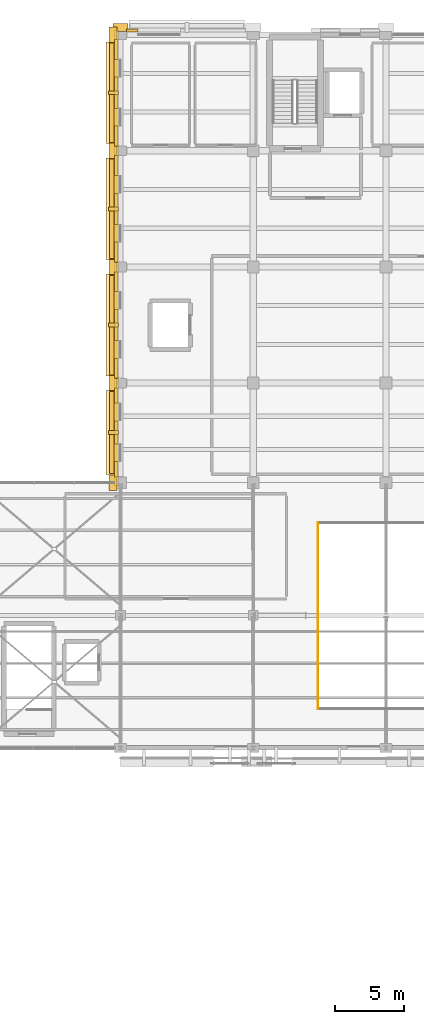
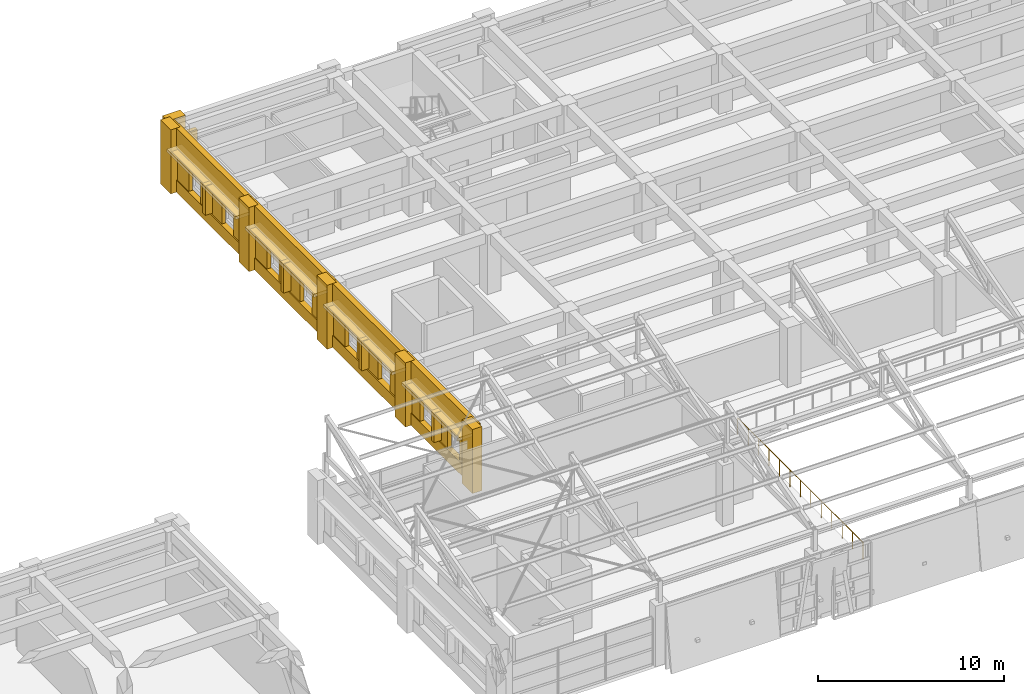
# One storey, part 55 of 58: 35 coverings, 4 shading devices, 1 railing.
"""IFC4 building model written with IfcOpenShell, lengths in metres."""

from ifc_helpers import new_model, si_unit, direction, frame, origin, origin_2d, place, context, subcontext, project, spatial, rectangle, circle, extrude, material, layer, layer_set, type_object, element, save


model = new_model("IFC4")

# Units and contexts
model_context = context("Model", 3, precision=1e-05, world=origin(), true_north=direction((0.0, 1.0)))
body_context = subcontext(model_context, "Body", "Model", "MODEL_VIEW")
ifc_project = project(units=[si_unit("LENGTHUNIT", "METRE"), si_unit("AREAUNIT", "SQUARE_METRE"), si_unit("VOLUMEUNIT", "CUBIC_METRE"), si_unit("PLANEANGLEUNIT", "RADIAN"), si_unit("MASSUNIT", "GRAM", prefix="KILO")], contexts=[model_context])

# Site, building, storey
site_placement = place(None, origin())
site = spatial("IfcSite", under=ifc_project, at=site_placement, CompositionType="ELEMENT")
building_placement = place(site_placement, origin())
building = spatial("IfcBuilding", under=site, at=building_placement, Name="Bempovik Park Faculty of Sciences", CompositionType="ELEMENT")
storey_placement = place(building_placement, frame((0.0, 0.0, 18.300048828125)))
storey = spatial("IfcBuildingStorey", under=building, at=storey_placement, Name="L04", CompositionType="ELEMENT", Elevation=18.300048828125)

# Coverings
ifc_material_1 = material(Name="Precast concrete C40/50", Category="concrete")
ifc_layer_1 = layer(ifc_material_1, 0.179931640625)
ifc_layer_set_1 = layer_set([ifc_layer_1], Name="Precast concrete C40/50")
covering_type_1 = type_object("IfcCoveringType", Name="CL-02 Classical Cornice Band 180mm", PredefinedType="CLADDING", material=ifc_layer_set_1)
covering_1_placement = place(storey_placement, frame((59.39990234375, 90.637451171875, 2.81005859375), z_axis=(0.0, 0.0, 1.0), x_axis=(1.0, 0.0, 0.0)))
element("IfcCovering", 1, at=covering_1_placement, inside=storey, type_object=covering_type_1, Name="L04 Classical Stone Solar Window Hood EW-L04-9701", PredefinedType="CLADDING", context=body_context, shape_type="SweptSolid", body=[
    extrude(rectangle(XDim=0.919921875, YDim=6.071044921875, at=origin_2d()), origin(), (0.0, 0.0, 1.0), 0.219970703125),
])
for number, where, z_axis, x_axis, name in (
    (2, (59.39990234375, 98.39990234375, 2.81005859375), (0.0, 0.0, 1.0), (1.0, 0.0, 0.0), "L04 Classical Stone Solar Window Hood EW-L04-9714"),
    (3, (59.39990234375, 106.800048828125, 2.81005859375), (0.0, 0.0, 1.0), (1.0, 0.0, 0.0), "L04 Classical Stone Solar Window Hood EW-L04-9726"),
    (4, (59.39990234375, 115.199951171875, 2.81005859375), (0.0, 0.0, 1.0), (1.0, 0.0, 0.0), "L04 Classical Stone Solar Window Hood EW-L04-9738"),
):
    element("IfcCovering", number, at=place(storey_placement, frame(where, z_axis=z_axis, x_axis=x_axis)), inside=storey, type_object=covering_type_1, Name=name, PredefinedType="CLADDING", context=body_context, shape_type="SweptSolid", body=[
        extrude(rectangle(XDim=0.919921875, YDim=7.345947265625, at=origin_2d()), origin(), (0.0, 0.0, 1.0), 0.219970703125),
    ])
ifc_material_2 = material(Name="White reconstituted limestone precast C40/50", Category="masonry")
ifc_layer_2 = layer(ifc_material_2, 0.239990234375)
ifc_layer_set_2 = layer_set([ifc_layer_2], Name="White reconstituted limestone precast C40/50")
covering_type_2 = type_object("IfcCoveringType", Name="CL-03 Classical Fluted Limestone Pilaster 240mm", PredefinedType="CLADDING", material=ifc_layer_set_2)
covering_2_placement = place(storey_placement, frame((59.68994140625, 90.637451171875, 2.919921875), z_axis=(0.0, 0.0, 1.0), x_axis=(1.0, 0.0, 0.0)))
element("IfcCovering", 5, at=covering_2_placement, inside=storey, type_object=covering_type_2, Name="L04 Classical Limestone Spandrel Entablature EW-L04-9701", PredefinedType="CLADDING", context=body_context, shape_type="SweptSolid", body=[
    extrude(rectangle(XDim=0.340087890625, YDim=7.77099609375, at=origin_2d()), origin(), (0.0, 0.0, 1.0), 1.280029296875),
])
covering_3_placement = place(storey_placement, frame((59.68994140625, 90.637451171875, 0.0), z_axis=(0.0, 0.0, 1.0), x_axis=(1.0, 0.0, 0.0)))
element("IfcCovering", 6, at=covering_3_placement, inside=storey, type_object=covering_type_2, Name="L04 Classical Limestone Sill Dado EW-L04-9701", PredefinedType="CLADDING", context=body_context, shape_type="SweptSolid", body=[
    extrude(rectangle(XDim=0.340087890625, YDim=7.77099609375, at=origin_2d()), origin(), (0.0, 0.0, 1.0), 0.780029296875),
])
for number, where, z_axis, x_axis, name in (
    (7, (59.469970703125, 87.0, 0.0), (0.0, 0.0, 1.0), (1.0, 0.0, 0.0), "L04 Classical Fluted Stone Pilaster PIL-BA-L04-595-870"),
    (8, (59.469970703125, 94.199951171875, 0.0), (0.0, 0.0, 1.0), (1.0, 0.0, 0.0), "L04 Classical Fluted Stone Pilaster PIL-BA-L04-595-942"),
):
    element("IfcCovering", number, at=place(storey_placement, frame(where, z_axis=z_axis, x_axis=x_axis)), inside=storey, type_object=covering_type_2, Name=name, PredefinedType="CLADDING", context=body_context, shape_type="SweptSolid", body=[
        extrude(rectangle(XDim=0.580078125, YDim=1.10009765625, at=origin_2d()), origin(), (0.0, 0.0, 1.0), 4.199951171875),
    ])
covering_4_placement = place(storey_placement, frame((59.699951171875, 87.973876953125, 0.0), z_axis=(0.0, 0.0, 1.0), x_axis=(1.0, 0.0, 0.0)))
element("IfcCovering", 9, at=covering_4_placement, inside=storey, type_object=covering_type_2, Name="L04 White Limestone Wall Cheek EW-L04-9701-0", PredefinedType="CLADDING", context=body_context, shape_type="SweptSolid", body=[
    extrude(rectangle(XDim=0.239990234375, YDim=1.09375, at=origin_2d()), origin(), (0.0, 0.0, 1.0), 3.080078125),
])
covering_5_placement = place(storey_placement, frame((59.699951171875, 90.637451171875, 0.0), z_axis=(0.0, 0.0, 1.0), x_axis=(1.0, 0.0, 0.0)))
element("IfcCovering", 10, at=covering_5_placement, inside=storey, type_object=covering_type_2, Name="L04 White Limestone Wall Cheek EW-L04-9701-2", PredefinedType="CLADDING", context=body_context, shape_type="SweptSolid", body=[
    extrude(rectangle(XDim=0.239990234375, YDim=1.673583984375, at=origin_2d()), origin(), (0.0, 0.0, 1.0), 3.080078125),
])
covering_6_placement = place(storey_placement, frame((59.699951171875, 93.30126953125, 0.0), z_axis=(0.0, 0.0, 1.0), x_axis=(1.0, 0.0, 0.0)))
element("IfcCovering", 11, at=covering_6_placement, inside=storey, type_object=covering_type_2, Name="L04 White Limestone Wall Cheek EW-L04-9701-4", PredefinedType="CLADDING", context=body_context, shape_type="SweptSolid", body=[
    extrude(rectangle(XDim=0.239990234375, YDim=1.09375, at=origin_2d()), origin(), (0.0, 0.0, 1.0), 3.080078125),
])
covering_7_placement = place(storey_placement, frame((59.489990234375, 90.637451171875, 0.89990234375), z_axis=(0.0, 0.0, 1.0), x_axis=(1.0, 0.0, 0.0)))
element("IfcCovering", 12, at=covering_7_placement, inside=storey, type_object=covering_type_2, Name="L04 Classical Vertical Stone Shading Fin EW-L04-9701", PredefinedType="CLADDING", context=body_context, shape_type="SweptSolid", body=[
    extrude(rectangle(XDim=0.719970703125, YDim=0.280029296875, at=origin_2d()), origin(), (0.0, 0.0, 1.0), 1.949951171875),
])
covering_8_placement = place(storey_placement, frame((59.68994140625, 98.39990234375, 2.919921875), z_axis=(0.0, 0.0, 1.0), x_axis=(1.0, 0.0, 0.0)))
element("IfcCovering", 13, at=covering_8_placement, inside=storey, type_object=covering_type_2, Name="L04 Classical Limestone Spandrel Entablature EW-L04-9714", PredefinedType="CLADDING", context=body_context, shape_type="SweptSolid", body=[
    extrude(rectangle(XDim=0.340087890625, YDim=9.0458984375, at=origin_2d()), origin(), (0.0, 0.0, 1.0), 1.280029296875),
])
covering_9_placement = place(storey_placement, frame((59.68994140625, 98.39990234375, 0.0), z_axis=(0.0, 0.0, 1.0), x_axis=(1.0, 0.0, 0.0)))
element("IfcCovering", 14, at=covering_9_placement, inside=storey, type_object=covering_type_2, Name="L04 Classical Limestone Sill Dado EW-L04-9714", PredefinedType="CLADDING", context=body_context, shape_type="SweptSolid", body=[
    extrude(rectangle(XDim=0.340087890625, YDim=9.0458984375, at=origin_2d()), origin(), (0.0, 0.0, 1.0), 0.780029296875),
])
covering_10_placement = place(storey_placement, frame((59.469970703125, 102.60009765625, 0.0), z_axis=(0.0, 0.0, 1.0), x_axis=(1.0, 0.0, 0.0)))
element("IfcCovering", 15, at=covering_10_placement, inside=storey, type_object=covering_type_2, Name="L04 Classical Fluted Stone Pilaster PIL-BA-L04-595-1026", PredefinedType="CLADDING", context=body_context, shape_type="SweptSolid", body=[
    extrude(rectangle(XDim=0.580078125, YDim=1.10009765625, at=origin_2d()), origin(), (0.0, 0.0, 1.0), 4.199951171875),
])
covering_11_placement = place(storey_placement, frame((59.699951171875, 95.27099609375, 0.0), z_axis=(0.0, 0.0, 1.0), x_axis=(1.0, 0.0, 0.0)))
element("IfcCovering", 16, at=covering_11_placement, inside=storey, type_object=covering_type_2, Name="L04 White Limestone Wall Cheek EW-L04-9714-0", PredefinedType="CLADDING", context=body_context, shape_type="SweptSolid", body=[
    extrude(rectangle(XDim=0.239990234375, YDim=1.43798828125, at=origin_2d()), origin(), (0.0, 0.0, 1.0), 3.080078125),
])
covering_12_placement = place(storey_placement, frame((59.699951171875, 98.39990234375, 0.0), z_axis=(0.0, 0.0, 1.0), x_axis=(1.0, 0.0, 0.0)))
element("IfcCovering", 17, at=covering_12_placement, inside=storey, type_object=covering_type_2, Name="L04 White Limestone Wall Cheek EW-L04-9714-2", PredefinedType="CLADDING", context=body_context, shape_type="SweptSolid", body=[
    extrude(rectangle(XDim=0.239990234375, YDim=2.26025390625, at=origin_2d()), origin(), (0.0, 0.0, 1.0), 3.080078125),
])
covering_13_placement = place(storey_placement, frame((59.699951171875, 101.529052734375, 0.0), z_axis=(0.0, 0.0, 1.0), x_axis=(1.0, 0.0, 0.0)))
element("IfcCovering", 18, at=covering_13_placement, inside=storey, type_object=covering_type_2, Name="L04 White Limestone Wall Cheek EW-L04-9714-4", PredefinedType="CLADDING", context=body_context, shape_type="SweptSolid", body=[
    extrude(rectangle(XDim=0.239990234375, YDim=1.43798828125, at=origin_2d()), origin(), (0.0, 0.0, 1.0), 3.080078125),
])
covering_14_placement = place(storey_placement, frame((59.489990234375, 98.39990234375, 0.89990234375), z_axis=(0.0, 0.0, 1.0), x_axis=(1.0, 0.0, 0.0)))
element("IfcCovering", 19, at=covering_14_placement, inside=storey, type_object=covering_type_2, Name="L04 Classical Vertical Stone Shading Fin EW-L04-9714", PredefinedType="CLADDING", context=body_context, shape_type="SweptSolid", body=[
    extrude(rectangle(XDim=0.719970703125, YDim=0.280029296875, at=origin_2d()), origin(), (0.0, 0.0, 1.0), 1.949951171875),
])
covering_15_placement = place(storey_placement, frame((59.68994140625, 106.800048828125, 2.919921875), z_axis=(0.0, 0.0, 1.0), x_axis=(1.0, 0.0, 0.0)))
element("IfcCovering", 20, at=covering_15_placement, inside=storey, type_object=covering_type_2, Name="L04 Classical Limestone Spandrel Entablature EW-L04-9726", PredefinedType="CLADDING", context=body_context, shape_type="SweptSolid", body=[
    extrude(rectangle(XDim=0.340087890625, YDim=9.0458984375, at=origin_2d()), origin(), (0.0, 0.0, 1.0), 1.280029296875),
])
covering_16_placement = place(storey_placement, frame((59.68994140625, 106.800048828125, 0.0), z_axis=(0.0, 0.0, 1.0), x_axis=(1.0, 0.0, 0.0)))
element("IfcCovering", 21, at=covering_16_placement, inside=storey, type_object=covering_type_2, Name="L04 Classical Limestone Sill Dado EW-L04-9726", PredefinedType="CLADDING", context=body_context, shape_type="SweptSolid", body=[
    extrude(rectangle(XDim=0.340087890625, YDim=9.0458984375, at=origin_2d()), origin(), (0.0, 0.0, 1.0), 0.780029296875),
])
covering_17_placement = place(storey_placement, frame((59.469970703125, 111.0, 0.0), z_axis=(0.0, 0.0, 1.0), x_axis=(1.0, 0.0, 0.0)))
element("IfcCovering", 22, at=covering_17_placement, inside=storey, type_object=covering_type_2, Name="L04 Classical Fluted Stone Pilaster PIL-BA-L04-595-1110", PredefinedType="CLADDING", context=body_context, shape_type="SweptSolid", body=[
    extrude(rectangle(XDim=0.580078125, YDim=1.10009765625, at=origin_2d()), origin(), (0.0, 0.0, 1.0), 4.199951171875),
])
covering_18_placement = place(storey_placement, frame((59.699951171875, 103.6708984375, 0.0), z_axis=(0.0, 0.0, 1.0), x_axis=(1.0, 0.0, 0.0)))
element("IfcCovering", 23, at=covering_18_placement, inside=storey, type_object=covering_type_2, Name="L04 White Limestone Wall Cheek EW-L04-9726-0", PredefinedType="CLADDING", context=body_context, shape_type="SweptSolid", body=[
    extrude(rectangle(XDim=0.239990234375, YDim=1.43798828125, at=origin_2d()), origin(), (0.0, 0.0, 1.0), 3.080078125),
])
covering_19_placement = place(storey_placement, frame((59.699951171875, 106.800048828125, 0.0), z_axis=(0.0, 0.0, 1.0), x_axis=(1.0, 0.0, 0.0)))
element("IfcCovering", 24, at=covering_19_placement, inside=storey, type_object=covering_type_2, Name="L04 White Limestone Wall Cheek EW-L04-9726-2", PredefinedType="CLADDING", context=body_context, shape_type="SweptSolid", body=[
    extrude(rectangle(XDim=0.239990234375, YDim=2.26025390625, at=origin_2d()), origin(), (0.0, 0.0, 1.0), 3.080078125),
])
covering_20_placement = place(storey_placement, frame((59.699951171875, 109.92919921875, 0.0), z_axis=(0.0, 0.0, 1.0), x_axis=(1.0, 0.0, 0.0)))
element("IfcCovering", 25, at=covering_20_placement, inside=storey, type_object=covering_type_2, Name="L04 White Limestone Wall Cheek EW-L04-9726-4", PredefinedType="CLADDING", context=body_context, shape_type="SweptSolid", body=[
    extrude(rectangle(XDim=0.239990234375, YDim=1.43798828125, at=origin_2d()), origin(), (0.0, 0.0, 1.0), 3.080078125),
])
covering_21_placement = place(storey_placement, frame((59.489990234375, 106.800048828125, 0.89990234375), z_axis=(0.0, 0.0, 1.0), x_axis=(1.0, 0.0, 0.0)))
element("IfcCovering", 26, at=covering_21_placement, inside=storey, type_object=covering_type_2, Name="L04 Classical Vertical Stone Shading Fin EW-L04-9726", PredefinedType="CLADDING", context=body_context, shape_type="SweptSolid", body=[
    extrude(rectangle(XDim=0.719970703125, YDim=0.280029296875, at=origin_2d()), origin(), (0.0, 0.0, 1.0), 1.949951171875),
])
covering_22_placement = place(storey_placement, frame((59.68994140625, 115.199951171875, 2.919921875), z_axis=(0.0, 0.0, 1.0), x_axis=(1.0, 0.0, 0.0)))
element("IfcCovering", 27, at=covering_22_placement, inside=storey, type_object=covering_type_2, Name="L04 Classical Limestone Spandrel Entablature EW-L04-9738", PredefinedType="CLADDING", context=body_context, shape_type="SweptSolid", body=[
    extrude(rectangle(XDim=0.340087890625, YDim=9.0458984375, at=origin_2d()), origin(), (0.0, 0.0, 1.0), 1.280029296875),
])
covering_23_placement = place(storey_placement, frame((59.68994140625, 115.199951171875, 0.0), z_axis=(0.0, 0.0, 1.0), x_axis=(1.0, 0.0, 0.0)))
element("IfcCovering", 28, at=covering_23_placement, inside=storey, type_object=covering_type_2, Name="L04 Classical Limestone Sill Dado EW-L04-9738", PredefinedType="CLADDING", context=body_context, shape_type="SweptSolid", body=[
    extrude(rectangle(XDim=0.340087890625, YDim=9.0458984375, at=origin_2d()), origin(), (0.0, 0.0, 1.0), 0.780029296875),
])
covering_24_placement = place(storey_placement, frame((59.469970703125, 119.39990234375, 0.0), z_axis=(0.0, 0.0, 1.0), x_axis=(1.0, 0.0, 0.0)))
element("IfcCovering", 29, at=covering_24_placement, inside=storey, type_object=covering_type_2, Name="L04 Classical Fluted Stone Pilaster PIL-BA-L04-595-1194", PredefinedType="CLADDING", context=body_context, shape_type="SweptSolid", body=[
    extrude(rectangle(XDim=0.580078125, YDim=1.10009765625, at=origin_2d()), origin(), (0.0, 0.0, 1.0), 4.199951171875),
])
covering_25_placement = place(storey_placement, frame((59.699951171875, 112.071044921875, 0.0), z_axis=(0.0, 0.0, 1.0), x_axis=(1.0, 0.0, 0.0)))
element("IfcCovering", 30, at=covering_25_placement, inside=storey, type_object=covering_type_2, Name="L04 White Limestone Wall Cheek EW-L04-9738-0", PredefinedType="CLADDING", context=body_context, shape_type="SweptSolid", body=[
    extrude(rectangle(XDim=0.239990234375, YDim=1.43798828125, at=origin_2d()), origin(), (0.0, 0.0, 1.0), 3.080078125),
])
covering_26_placement = place(storey_placement, frame((59.699951171875, 115.199951171875, 0.0), z_axis=(0.0, 0.0, 1.0), x_axis=(1.0, 0.0, 0.0)))
element("IfcCovering", 31, at=covering_26_placement, inside=storey, type_object=covering_type_2, Name="L04 White Limestone Wall Cheek EW-L04-9738-2", PredefinedType="CLADDING", context=body_context, shape_type="SweptSolid", body=[
    extrude(rectangle(XDim=0.239990234375, YDim=2.26025390625, at=origin_2d()), origin(), (0.0, 0.0, 1.0), 3.080078125),
])
covering_27_placement = place(storey_placement, frame((59.699951171875, 118.3291015625, 0.0), z_axis=(0.0, 0.0, 1.0), x_axis=(1.0, 0.0, 0.0)))
element("IfcCovering", 32, at=covering_27_placement, inside=storey, type_object=covering_type_2, Name="L04 White Limestone Wall Cheek EW-L04-9738-4", PredefinedType="CLADDING", context=body_context, shape_type="SweptSolid", body=[
    extrude(rectangle(XDim=0.239990234375, YDim=1.43798828125, at=origin_2d()), origin(), (0.0, 0.0, 1.0), 3.080078125),
])
covering_28_placement = place(storey_placement, frame((59.489990234375, 115.199951171875, 0.89990234375), z_axis=(0.0, 0.0, 1.0), x_axis=(1.0, 0.0, 0.0)))
element("IfcCovering", 33, at=covering_28_placement, inside=storey, type_object=covering_type_2, Name="L04 Classical Vertical Stone Shading Fin EW-L04-9738", PredefinedType="CLADDING", context=body_context, shape_type="SweptSolid", body=[
    extrude(rectangle(XDim=0.719970703125, YDim=0.280029296875, at=origin_2d()), origin(), (0.0, 0.0, 1.0), 1.949951171875),
])
covering_29_placement = place(storey_placement, frame((60.0, 119.929931640625, 0.0), z_axis=(0.0, 0.0, 1.0), x_axis=(1.0, 0.0, 0.0)))
element("IfcCovering", 34, at=covering_29_placement, inside=storey, type_object=covering_type_2, Name="L04 Classical Fluted Stone Pilaster PIL-BA-L04-600-1199", PredefinedType="CLADDING", context=body_context, shape_type="SweptSolid", body=[
    extrude(rectangle(XDim=1.10009765625, YDim=0.580078125, at=origin_2d()), origin(), (0.0, 0.0, 1.0), 4.199951171875),
])
covering_30_placement = place(storey_placement, frame((60.85595703125, 119.699951171875, 0.0), z_axis=(0.0, 0.0, 1.0), x_axis=(1.0, 0.0, 0.0)))
element("IfcCovering", 35, at=covering_30_placement, inside=storey, type_object=covering_type_2, Name="L04 White Limestone Wall Cheek EW-L04-9750-0", PredefinedType="CLADDING", context=body_context, shape_type="SweptSolid", body=[
    extrude(rectangle(XDim=0.807861328125, YDim=0.239990234375, at=origin_2d()), origin(), (0.0, 0.0, 1.0), 3.080078125),
])

# Railing
ifc_material_3 = material(Name="Anodised architectural bronze")
railing_type = type_object("IfcRailingType", Name="GR-01 Guardrail 1120mm", PredefinedType="GUARDRAIL", material=ifc_material_3)
railing_placement = place(storey_placement, frame((74.27490234375, 70.64990234375, 0.0)))
element("IfcRailing", 36, at=railing_placement, inside=storey, type_object=railing_type, Name="L04 Atrium Void West Guardrail", PredefinedType="GUARDRAIL", context=body_context, shape_type="SweptSolid", body=[
    extrude(circle(Radius=0.02392578125, at=origin_2d()), frame((0.0, 0.0, 1.09619140625), z_axis=(0.0, 1.0, 0.0), x_axis=(-1.0, 0.0, 0.0)), (0.0, 0.0, 1.0), 13.4501953125),
    extrude(circle(Radius=0.02099609375, at=origin_2d()), origin(), (0.0, 0.0, 1.0), 1.072021484375),
    extrude(circle(Radius=0.02099609375, at=origin_2d()), frame((0.0, 1.120849609375, 0.0)), (0.0, 0.0, 1.0), 1.072021484375),
    extrude(circle(Radius=0.02099609375, at=origin_2d()), frame((0.0, 2.24169921875, 0.0)), (0.0, 0.0, 1.0), 1.072021484375),
    extrude(circle(Radius=0.02099609375, at=origin_2d()), frame((0.0, 3.362548828125, 0.0)), (0.0, 0.0, 1.0), 1.072021484375),
    extrude(circle(Radius=0.02099609375, at=origin_2d()), frame((0.0, 4.4833984375, 0.0)), (0.0, 0.0, 1.0), 1.072021484375),
    extrude(circle(Radius=0.02099609375, at=origin_2d()), frame((0.0, 5.604248046875, 0.0)), (0.0, 0.0, 1.0), 1.072021484375),
    extrude(circle(Radius=0.02099609375, at=origin_2d()), frame((0.0, 6.72509765625, 0.0)), (0.0, 0.0, 1.0), 1.072021484375),
    extrude(circle(Radius=0.02099609375, at=origin_2d()), frame((0.0, 7.845947265625, 0.0)), (0.0, 0.0, 1.0), 1.072021484375),
    extrude(circle(Radius=0.02099609375, at=origin_2d()), frame((0.0, 8.966796875, 0.0)), (0.0, 0.0, 1.0), 1.072021484375),
    extrude(circle(Radius=0.02099609375, at=origin_2d()), frame((0.0, 10.087646484375, 0.0)), (0.0, 0.0, 1.0), 1.072021484375),
    extrude(circle(Radius=0.02099609375, at=origin_2d()), frame((0.0, 11.20849609375, 0.0)), (0.0, 0.0, 1.0), 1.072021484375),
    extrude(circle(Radius=0.02099609375, at=origin_2d()), frame((0.0, 12.329345703125, 0.0)), (0.0, 0.0, 1.0), 1.072021484375),
    extrude(circle(Radius=0.02099609375, at=origin_2d()), frame((0.0, 13.4501953125, 0.0)), (0.0, 0.0, 1.0), 1.072021484375),
])

# Shading devices
ifc_layer_3 = layer(ifc_material_3, 0.06005859375)
ifc_layer_set_3 = layer_set([ifc_layer_3], Name="Anodised architectural bronze")
shading_device_type = type_object("IfcShadingDeviceType", Name="SH-01 Bronze Brise-Soleil Fin", PredefinedType="USERDEFINED", material=ifc_layer_set_3)
shading_device_placement = place(storey_placement, frame((59.52001953125, 90.637451171875, 2.75), z_axis=(0.0, 0.0, 1.0), x_axis=(1.0, 0.0, 0.0)))
element("IfcShadingDevice", 37, at=shading_device_placement, inside=storey, type_object=shading_device_type, Name="L04 Equatorial Bronze Brise-Soleil EW-L04-9701", ObjectType="BRISE SOLEIL", PredefinedType="USERDEFINED", context=body_context, shape_type="SweptSolid", body=[
    extrude(rectangle(XDim=0.64990234375, YDim=5.9208984375, at=origin_2d()), origin(), (0.0, 0.0, 1.0), 0.06005859375),
])
for number, where, z_axis, x_axis, name in (
    (38, (59.52001953125, 98.39990234375, 2.75), (0.0, 0.0, 1.0), (1.0, 0.0, 0.0), "L04 Equatorial Bronze Brise-Soleil EW-L04-9714"),
    (39, (59.52001953125, 106.800048828125, 2.75), (0.0, 0.0, 1.0), (1.0, 0.0, 0.0), "L04 Equatorial Bronze Brise-Soleil EW-L04-9726"),
    (40, (59.52001953125, 115.199951171875, 2.75), (0.0, 0.0, 1.0), (1.0, 0.0, 0.0), "L04 Equatorial Bronze Brise-Soleil EW-L04-9738"),
):
    element("IfcShadingDevice", number, at=place(storey_placement, frame(where, z_axis=z_axis, x_axis=x_axis)), inside=storey, type_object=shading_device_type, Name=name, ObjectType="BRISE SOLEIL", PredefinedType="USERDEFINED", context=body_context, shape_type="SweptSolid", body=[
        extrude(rectangle(XDim=0.64990234375, YDim=7.196044921875, at=origin_2d()), origin(), (0.0, 0.0, 1.0), 0.06005859375),
    ])

save(model, "model.ifc")
